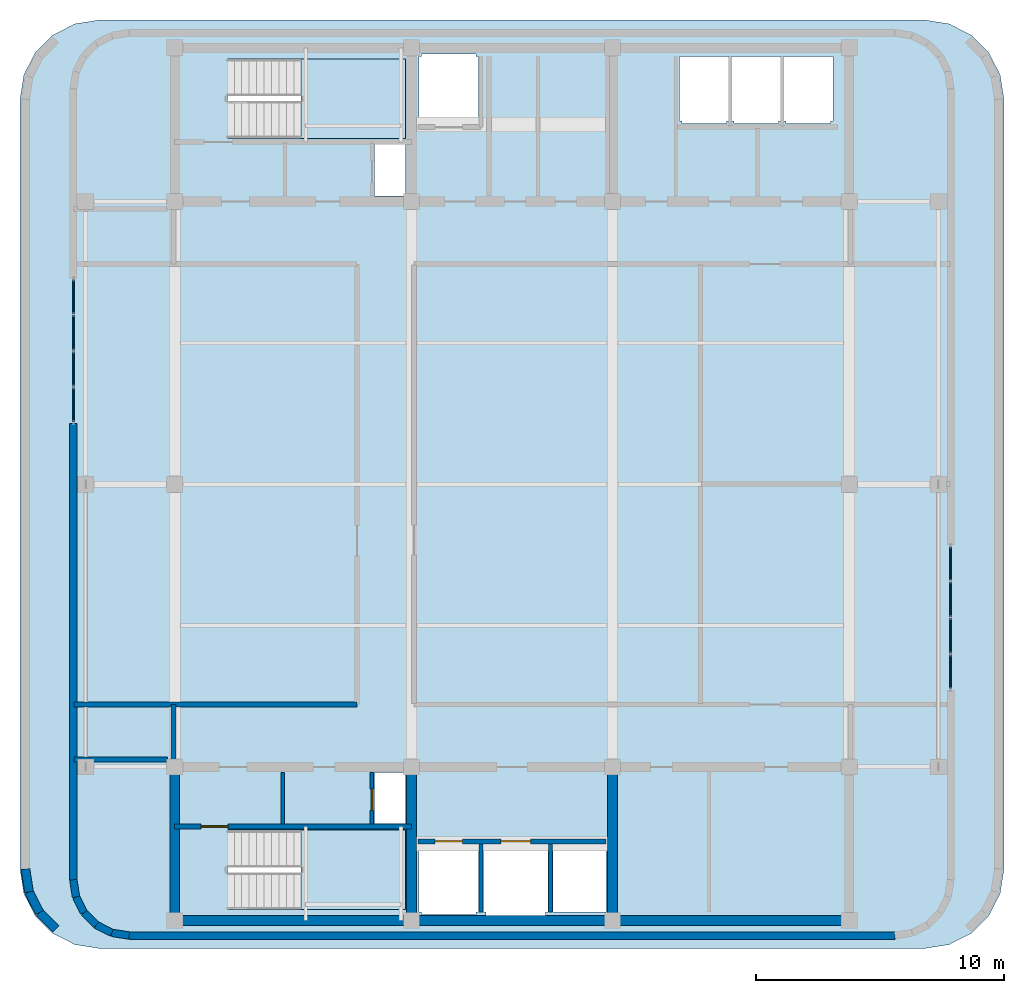
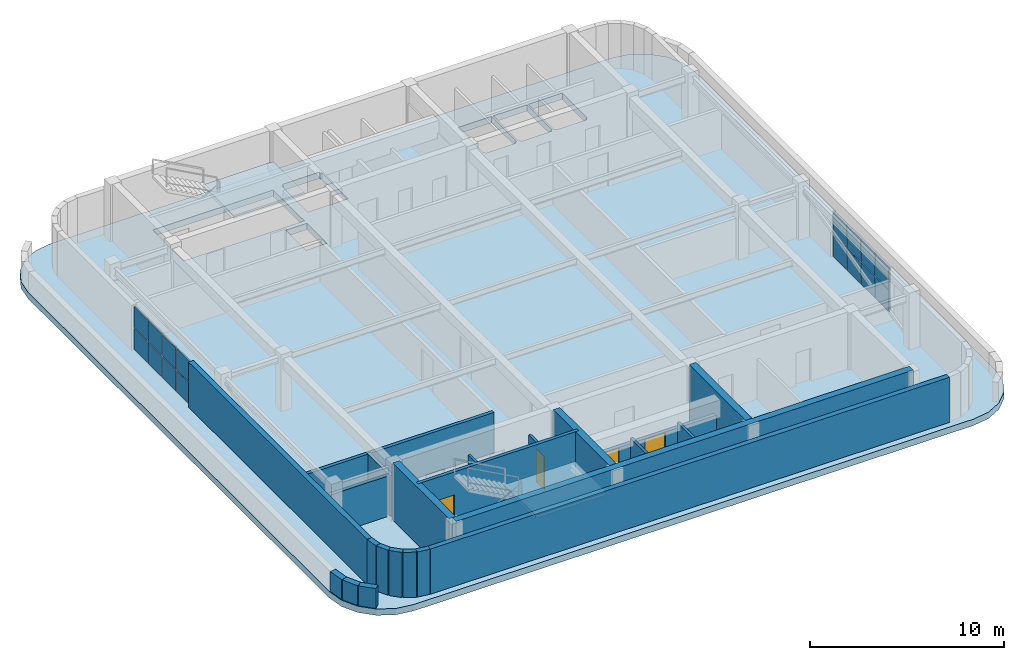
# One storey, part 4 of 9: 23 walls, 16 plates, 4 doors, 3 slabs, 4 openings, 4 elements without a shape of their own.
"""IFC4 building model written with IfcOpenShell, lengths in metres."""

from ifc_helpers import new_model, si_unit, direction, frame, frame_2d, origin, origin_2d, place, context, subcontext, project, spatial, polyline, rectangle, outline, extrude, material, layer, layer_set, type_object, element, fill, aggregate, save


model = new_model("IFC4")

# Units and contexts
model_context = context("Model", 3, precision=1e-05, world=origin(), true_north=direction((0.0, 1.0)))
body_context = subcontext(model_context, "Body", "Model", "MODEL_VIEW")
ifc_project = project(units=[si_unit("LENGTHUNIT", "METRE"), si_unit("AREAUNIT", "SQUARE_METRE"), si_unit("VOLUMEUNIT", "CUBIC_METRE"), si_unit("PLANEANGLEUNIT", "RADIAN"), si_unit("MASSUNIT", "GRAM", prefix="KILO")], contexts=[model_context])

# Site, building, storey
site_placement = place(None, origin())
site = spatial("IfcSite", under=ifc_project, at=site_placement, CompositionType="ELEMENT")
building_placement = place(site_placement, origin())
building = spatial("IfcBuilding", under=site, at=building_placement, Name="Svetorya Sky Lyceum", CompositionType="ELEMENT")
storey_placement = place(building_placement, frame((0.0, 0.0, 302.0)))
storey = spatial("IfcBuildingStorey", under=building, at=storey_placement, Name="C01", CompositionType="ELEMENT", Elevation=302.0)

# Curtain wall, plates
ifc_material_1 = material(Name="Thermally broken anodized aluminium and triple low-E glass", Category="aluminium")
curtain_wall_type = type_object("IfcCurtainWallType", Name="CW5-LVR-PLT", PredefinedType="NOTDEFINED", material=ifc_material_1)
curtain_wall_1_placement = place(storey_placement, origin())
curtain_wall_1 = element("IfcCurtainWall", 1, at=curtain_wall_1_placement, inside=storey, type_object=curtain_wall_type, Name="C01 Acoustic Plant Louvre Curtain Wall 12", PredefinedType="NOTDEFINED")
ifc_material_2 = material(Name="Powder-coated extruded aluminium acoustic louvre blade", Category="aluminium")
ifc_layer_1 = layer(ifc_material_2, 0.06494140625)
ifc_layer_set_1 = layer_set([ifc_layer_1], Name="Powder-coated extruded aluminium acoustic louvre blade")
plate_type = type_object("IfcPlateType", Name="CWP-LVR-65", PredefinedType="SHEET", material=ifc_layer_set_1)
plate_1_placement = place(storey_placement, frame((56.889892578125, 20.6474609375, 0.0634765625), z_axis=(0.0, 0.0, 1.0), x_axis=(0.0, 1.0, 0.0)))
plate_1 = element("IfcPlate", 2, at=plate_1_placement, type_object=plate_type, Name="CW-5 panel 1.1", PredefinedType="SHEET", context=body_context, shape_type="SweptSolid", body=[
    extrude(rectangle(XDim=1.367919921875, YDim=0.06494140625, at=origin_2d()), origin(), (0.0, 0.0, 1.0), 1.325439453125),
])
plate_2_placement = place(storey_placement, frame((56.889892578125, 20.6474609375, 1.451171875), z_axis=(0.0, 0.0, 1.0), x_axis=(0.0, 1.0, 0.0)))
plate_2 = element("IfcPlate", 3, at=plate_2_placement, type_object=plate_type, Name="CW-5 panel 1.2", PredefinedType="SHEET", context=body_context, shape_type="SweptSolid", body=[
    extrude(rectangle(XDim=1.367919921875, YDim=0.06494140625, at=origin_2d()), origin(), (0.0, 0.0, 1.0), 1.325439453125),
])
plate_3_placement = place(storey_placement, frame((56.889892578125, 22.09375, 0.0634765625), z_axis=(0.0, 0.0, 1.0), x_axis=(0.0, 1.0, 0.0)))
plate_3 = element("IfcPlate", 4, at=plate_3_placement, type_object=plate_type, Name="CW-5 panel 2.1", PredefinedType="SHEET", context=body_context, shape_type="SweptSolid", body=[
    extrude(rectangle(XDim=1.400390625, YDim=0.06494140625, at=origin_2d()), origin(), (0.0, 0.0, 1.0), 1.325439453125),
])
plate_4_placement = place(storey_placement, frame((56.889892578125, 22.09375, 1.451171875), z_axis=(0.0, 0.0, 1.0), x_axis=(0.0, 1.0, 0.0)))
plate_4 = element("IfcPlate", 5, at=plate_4_placement, type_object=plate_type, Name="CW-5 panel 2.2", PredefinedType="SHEET", context=body_context, shape_type="SweptSolid", body=[
    extrude(rectangle(XDim=1.400390625, YDim=0.06494140625, at=origin_2d()), origin(), (0.0, 0.0, 1.0), 1.325439453125),
])
plate_5_placement = place(storey_placement, frame((56.889892578125, 23.55615234375, 0.0634765625), z_axis=(0.0, 0.0, 1.0), x_axis=(0.0, 1.0, 0.0)))
plate_5 = element("IfcPlate", 6, at=plate_5_placement, type_object=plate_type, Name="CW-5 panel 3.1", PredefinedType="SHEET", context=body_context, shape_type="SweptSolid", body=[
    extrude(rectangle(XDim=1.400390625, YDim=0.06494140625, at=origin_2d()), origin(), (0.0, 0.0, 1.0), 1.325439453125),
])
plate_6_placement = place(storey_placement, frame((56.889892578125, 23.55615234375, 1.451171875), z_axis=(0.0, 0.0, 1.0), x_axis=(0.0, 1.0, 0.0)))
plate_6 = element("IfcPlate", 7, at=plate_6_placement, type_object=plate_type, Name="CW-5 panel 3.2", PredefinedType="SHEET", context=body_context, shape_type="SweptSolid", body=[
    extrude(rectangle(XDim=1.400390625, YDim=0.06494140625, at=origin_2d()), origin(), (0.0, 0.0, 1.0), 1.325439453125),
])
plate_7_placement = place(storey_placement, frame((56.889892578125, 25.00244140625, 0.0634765625), z_axis=(0.0, 0.0, 1.0), x_axis=(0.0, 1.0, 0.0)))
plate_7 = element("IfcPlate", 8, at=plate_7_placement, type_object=plate_type, Name="CW-5 panel 4.1", PredefinedType="SHEET", context=body_context, shape_type="SweptSolid", body=[
    extrude(rectangle(XDim=1.367919921875, YDim=0.06494140625, at=origin_2d()), origin(), (0.0, 0.0, 1.0), 1.325439453125),
])
plate_8_placement = place(storey_placement, frame((56.889892578125, 25.00244140625, 1.451171875), z_axis=(0.0, 0.0, 1.0), x_axis=(0.0, 1.0, 0.0)))
plate_8 = element("IfcPlate", 9, at=plate_8_placement, type_object=plate_type, Name="CW-5 panel 4.2", PredefinedType="SHEET", context=body_context, shape_type="SweptSolid", body=[
    extrude(rectangle(XDim=1.367919921875, YDim=0.06494140625, at=origin_2d()), origin(), (0.0, 0.0, 1.0), 1.325439453125),
])
aggregate(curtain_wall_1, [plate_1, plate_2, plate_3, plate_4, plate_5, plate_6, plate_7, plate_8])

curtain_wall_2_placement = place(storey_placement, origin())
curtain_wall_2 = element("IfcCurtainWall", 10, at=curtain_wall_2_placement, inside=storey, type_object=curtain_wall_type, Name="C01 Acoustic Plant Louvre Curtain Wall 24", PredefinedType="NOTDEFINED")
plate_9_placement = place(storey_placement, frame((21.510009765625, 35.75244140625, 0.0634765625), z_axis=(0.0, 0.0, 1.0), x_axis=(0.0, -1.0, 0.0)))
plate_9 = element("IfcPlate", 11, at=plate_9_placement, type_object=plate_type, Name="CW-5 panel 1.1", PredefinedType="SHEET", context=body_context, shape_type="SweptSolid", body=[
    extrude(rectangle(XDim=1.367919921875, YDim=0.06494140625, at=origin_2d()), origin(), (0.0, 0.0, 1.0), 1.325439453125),
])
plate_10_placement = place(storey_placement, frame((21.510009765625, 35.75244140625, 1.451171875), z_axis=(0.0, 0.0, 1.0), x_axis=(0.0, -1.0, 0.0)))
plate_10 = element("IfcPlate", 12, at=plate_10_placement, type_object=plate_type, Name="CW-5 panel 1.2", PredefinedType="SHEET", context=body_context, shape_type="SweptSolid", body=[
    extrude(rectangle(XDim=1.367919921875, YDim=0.06494140625, at=origin_2d()), origin(), (0.0, 0.0, 1.0), 1.325439453125),
])
plate_11_placement = place(storey_placement, frame((21.510009765625, 34.30615234375, 0.0634765625), z_axis=(0.0, 0.0, 1.0), x_axis=(0.0, -1.0, 0.0)))
plate_11 = element("IfcPlate", 13, at=plate_11_placement, type_object=plate_type, Name="CW-5 panel 2.1", PredefinedType="SHEET", context=body_context, shape_type="SweptSolid", body=[
    extrude(rectangle(XDim=1.400390625, YDim=0.06494140625, at=origin_2d()), origin(), (0.0, 0.0, 1.0), 1.325439453125),
])
plate_12_placement = place(storey_placement, frame((21.510009765625, 34.30615234375, 1.451171875), z_axis=(0.0, 0.0, 1.0), x_axis=(0.0, -1.0, 0.0)))
plate_12 = element("IfcPlate", 14, at=plate_12_placement, type_object=plate_type, Name="CW-5 panel 2.2", PredefinedType="SHEET", context=body_context, shape_type="SweptSolid", body=[
    extrude(rectangle(XDim=1.400390625, YDim=0.06494140625, at=origin_2d()), origin(), (0.0, 0.0, 1.0), 1.325439453125),
])
plate_13_placement = place(storey_placement, frame((21.510009765625, 32.84375, 0.0634765625), z_axis=(0.0, 0.0, 1.0), x_axis=(0.0, -1.0, 0.0)))
plate_13 = element("IfcPlate", 15, at=plate_13_placement, type_object=plate_type, Name="CW-5 panel 3.1", PredefinedType="SHEET", context=body_context, shape_type="SweptSolid", body=[
    extrude(rectangle(XDim=1.400390625, YDim=0.06494140625, at=origin_2d()), origin(), (0.0, 0.0, 1.0), 1.325439453125),
])
plate_14_placement = place(storey_placement, frame((21.510009765625, 32.84375, 1.451171875), z_axis=(0.0, 0.0, 1.0), x_axis=(0.0, -1.0, 0.0)))
plate_14 = element("IfcPlate", 16, at=plate_14_placement, type_object=plate_type, Name="CW-5 panel 3.2", PredefinedType="SHEET", context=body_context, shape_type="SweptSolid", body=[
    extrude(rectangle(XDim=1.400390625, YDim=0.06494140625, at=origin_2d()), origin(), (0.0, 0.0, 1.0), 1.325439453125),
])
plate_15_placement = place(storey_placement, frame((21.510009765625, 31.3974609375, 0.0634765625), z_axis=(0.0, 0.0, 1.0), x_axis=(0.0, -1.0, 0.0)))
plate_15 = element("IfcPlate", 17, at=plate_15_placement, type_object=plate_type, Name="CW-5 panel 4.1", PredefinedType="SHEET", context=body_context, shape_type="SweptSolid", body=[
    extrude(rectangle(XDim=1.367919921875, YDim=0.06494140625, at=origin_2d()), origin(), (0.0, 0.0, 1.0), 1.325439453125),
])
plate_16_placement = place(storey_placement, frame((21.510009765625, 31.3974609375, 1.451171875), z_axis=(0.0, 0.0, 1.0), x_axis=(0.0, -1.0, 0.0)))
plate_16 = element("IfcPlate", 18, at=plate_16_placement, type_object=plate_type, Name="CW-5 panel 4.2", PredefinedType="SHEET", context=body_context, shape_type="SweptSolid", body=[
    extrude(rectangle(XDim=1.367919921875, YDim=0.06494140625, at=origin_2d()), origin(), (0.0, 0.0, 1.0), 1.325439453125),
])
aggregate(curtain_wall_2, [plate_9, plate_10, plate_11, plate_12, plate_13, plate_14, plate_15, plate_16])

# Stair, slab
ifc_material_3 = material(Name="Concrete C40/50", Category="concrete")
stair_type_1 = type_object("IfcStairType", Name="STR-ST-S", PredefinedType="HALF_TURN_STAIR", material=ifc_material_3)
stair_1_placement = place(storey_placement, origin())
stair_1 = element("IfcStair", 19, at=stair_1_placement, inside=storey, type_object=stair_type_1, Name="C01 South Core Smoke-Free Exit Stair N2", PredefinedType="HALF_TURN_STAIR")
ifc_layer_2 = layer(ifc_material_3, 0.199951171875)
ifc_layer_set_2 = layer_set([ifc_layer_2], Name="Concrete C40/50")
slab_type_1 = type_object("IfcSlabType", Name="SL-STR-LAND-200", PredefinedType="LANDING", material=ifc_layer_set_2)
slab_1_placement = place(storey_placement, frame((0.0, 0.0, 1.60009765625)))
slab_1 = element("IfcSlab", 20, at=slab_1_placement, type_object=slab_type_1, Name="ST-S landing 1", PredefinedType="LANDING", context=body_context, shape_type="SweptSolid", body=[
    extrude(outline(polyline([(30.699951171875, 11.050048828125), (34.89990234375, 11.050048828125), (34.89990234375, 14.25), (30.699951171875, 14.25), (30.699951171875, 11.050048828125)])), origin(), (0.0, 0.0, 1.0), 0.199951171875),
])
aggregate(stair_1, [slab_1])

stair_type_2 = type_object("IfcStairType", Name="STR-ST-N", PredefinedType="HALF_TURN_STAIR", material=ifc_material_3)
stair_2_placement = place(storey_placement, origin())
stair_2 = element("IfcStair", 21, at=stair_2_placement, inside=storey, type_object=stair_type_2, Name="C01 North Core Smoke-Free Exit Stair N3", PredefinedType="HALF_TURN_STAIR")
slab_2_placement = place(storey_placement, frame((0.0, 0.0, 1.60009765625)))
slab_2 = element("IfcSlab", 22, at=slab_2_placement, type_object=slab_type_1, Name="ST-N landing 1", PredefinedType="LANDING", context=body_context, shape_type="SweptSolid", body=[
    extrude(outline(polyline([(30.699951171875, 42.14990234375), (34.89990234375, 42.14990234375), (34.89990234375, 45.35009765625), (30.699951171875, 45.35009765625), (30.699951171875, 42.14990234375)])), origin(), (0.0, 0.0, 1.0), 0.199951171875),
])
aggregate(stair_2, [slab_2])

# Slab
ifc_material_4 = material(Name="Concrete C60/75", Category="concrete")
ifc_layer_3 = layer(ifc_material_4, 0.39990234375)
ifc_layer_set_3 = layer_set([ifc_layer_3], Name="Concrete C60/75")
slab_type_2 = type_object("IfcSlabType", Name="SL-TRF-400", PredefinedType="FLOOR", material=ifc_layer_set_3)
slab_3_placement = place(storey_placement, frame((0.0, 0.0, -0.39990234375)))
element("IfcSlab", 23, at=slab_3_placement, inside=storey, type_object=slab_type_2, Name="C01 Structural Floor Slab", PredefinedType="FLOOR", context=body_context, shape_type="SweptSolid", body=[
    extrude(outline(polyline([(19.360107421875, 12.679931640625), (19.5166015625, 11.691162109375), (19.97119140625, 10.799072265625), (20.67919921875, 10.091064453125), (21.571044921875, 9.63671875), (22.56005859375, 9.47998046875), (55.840087890625, 9.47998046875), (56.828857421875, 9.63671875), (57.720947265625, 10.091064453125), (58.428955078125, 10.799072265625), (58.88330078125, 11.691162109375), (59.0400390625, 12.679931640625), (59.0400390625, 43.719970703125), (58.88330078125, 44.708984375), (58.428955078125, 45.600830078125), (57.720947265625, 46.308837890625), (56.828857421875, 46.763427734375), (55.840087890625, 46.919921875), (22.56005859375, 46.919921875), (21.571044921875, 46.763427734375), (20.67919921875, 46.308837890625), (19.97119140625, 45.600830078125), (19.5166015625, 44.708984375), (19.360107421875, 43.719970703125), (19.360107421875, 12.679931640625)]), holes=[polyline([(37.85009765625, 10.949951171875), (37.75, 10.949951171875), (37.75, 10.85009765625), (35.550048828125, 10.85009765625), (35.550048828125, 10.949951171875), (35.449951171875, 10.949951171875), (35.449951171875, 13.64990234375), (35.550048828125, 13.64990234375), (37.75, 13.64990234375), (37.85009765625, 13.64990234375), (37.85009765625, 10.949951171875)]), polyline([(38.14990234375, 10.800048828125), (38.14990234375, 10.949951171875), (38.050048828125, 10.949951171875), (38.050048828125, 13.64990234375), (38.14990234375, 13.64990234375), (38.14990234375, 13.699951171875), (40.550048828125, 13.699951171875), (40.550048828125, 13.64990234375), (40.64990234375, 13.64990234375), (40.64990234375, 10.949951171875), (40.550048828125, 10.949951171875), (40.550048828125, 10.800048828125), (38.14990234375, 10.800048828125)]), polyline([(27.719970703125, 11.050048828125), (27.719970703125, 14.25), (34.89990234375, 14.25), (34.89990234375, 11.050048828125), (27.719970703125, 11.050048828125)]), polyline([(33.64990234375, 14.52001953125), (33.64990234375, 16.580078125), (34.89990234375, 16.580078125), (34.89990234375, 14.52001953125), (33.64990234375, 14.52001953125)]), polyline([(33.64990234375, 39.820068359375), (33.64990234375, 41.89990234375), (34.89990234375, 41.89990234375), (34.89990234375, 39.820068359375), (33.64990234375, 39.820068359375)]), polyline([(27.719970703125, 42.14990234375), (27.719970703125, 45.35009765625), (34.89990234375, 45.35009765625), (34.89990234375, 42.14990234375), (27.719970703125, 42.14990234375)]), polyline([(37.75, 42.75), (35.550048828125, 42.75), (35.449951171875, 42.75), (35.449951171875, 45.449951171875), (35.550048828125, 45.449951171875), (35.550048828125, 45.550048828125), (37.75, 45.550048828125), (37.75, 45.449951171875), (37.85009765625, 45.449951171875), (37.85009765625, 42.75), (37.75, 42.75)]), polyline([(40.85009765625, 10.949951171875), (40.85009765625, 13.64990234375), (43.0, 13.64990234375), (43.0, 10.949951171875), (40.85009765625, 10.949951171875)]), polyline([(46.050048828125, 42.75), (46.050048828125, 42.85009765625), (45.949951171875, 42.85009765625), (45.949951171875, 45.449951171875), (46.050048828125, 45.449951171875), (47.85009765625, 45.449951171875), (47.949951171875, 45.449951171875), (47.949951171875, 42.85009765625), (47.85009765625, 42.85009765625), (47.85009765625, 42.75), (46.050048828125, 42.75)]), polyline([(50.050048828125, 42.85009765625), (49.949951171875, 42.85009765625), (49.949951171875, 42.75), (48.14990234375, 42.75), (48.14990234375, 42.85009765625), (48.050048828125, 42.85009765625), (48.050048828125, 45.449951171875), (48.14990234375, 45.449951171875), (49.949951171875, 45.449951171875), (50.050048828125, 45.449951171875), (50.050048828125, 42.85009765625)]), polyline([(52.14990234375, 42.85009765625), (52.050048828125, 42.85009765625), (52.050048828125, 42.75), (50.25, 42.75), (50.25, 42.85009765625), (50.14990234375, 42.85009765625), (50.14990234375, 45.449951171875), (50.25, 45.449951171875), (52.050048828125, 45.449951171875), (52.14990234375, 45.449951171875), (52.14990234375, 42.85009765625)])]), origin(), (0.0, 0.0, 1.0), 0.39990234375),
])

# Walls
ifc_layer_4 = layer(ifc_material_3, 0.39990234375)
ifc_layer_set_4 = layer_set([ifc_layer_4], Name="Concrete C40/50")
wall_type_1 = type_object("IfcWallType", Name="WL-CORE-400", PredefinedType="SHEAR", material=ifc_layer_set_4)
wall_1_placement = place(storey_placement, frame((52.800048828125, 10.60009765625, 0.0), z_axis=(0.0, 0.0, 1.0), x_axis=(-1.0, 0.0, 0.0)))
element("IfcWall", 24, at=wall_1_placement, inside=storey, type_object=wall_type_1, Name="C01 SC Outer Core Shear Wall", PredefinedType="SHEAR", context=body_context, shape_type="SweptSolid", body=[
    extrude(rectangle(XDim=27.199951171875, YDim=0.39990234375, at=frame_2d((13.60009765625, 0.0))), origin(), (0.0, 0.0, 1.0), 3.60009765625),
])
for number, where, z_axis, x_axis, name in (
    (25, (25.60009765625, 10.800048828125, 0.0), (0.0, 0.0, 1.0), (0.0, 1.0, 0.0), "C01 SC West Core Shear Wall"),
    (26, (35.14990234375, 10.800048828125, 0.0), (0.0, 0.0, 1.0), (0.0, 1.0, 0.0), "C01 SC Internal Shear Web WEB1"),
    (27, (43.25, 10.800048828125, 0.0), (0.0, 0.0, 1.0), (0.0, 1.0, 0.0), "C01 SC Internal Shear Web WEB2"),
):
    element("IfcWall", number, at=place(storey_placement, frame(where, z_axis=z_axis, x_axis=x_axis)), inside=storey, type_object=wall_type_1, Name=name, PredefinedType="SHEAR", context=body_context, shape_type="SweptSolid", body=[
        extrude(rectangle(XDim=5.800048828125, YDim=0.39990234375, at=frame_2d((2.89990234375, 0.0))), origin(), (0.0, 0.0, 1.0), 3.60009765625),
    ])
ifc_material_5 = material(Name="Putilovo limestone rainscreen on autoclaved cellular masonry", Category="masonry")
ifc_layer_5 = layer(ifc_material_5, 0.300048828125)
ifc_layer_set_5 = layer_set([ifc_layer_5], Name="Putilovo limestone rainscreen on autoclaved cellular masonry")
wall_type_2 = type_object("IfcWallType", Name="WL-EXT-300", PredefinedType="SOLIDWALL", material=ifc_layer_set_5)
for number, where, z_axis, x_axis, name in (
    (28, (21.510009765625, 12.25, 0.0), (0.0, 0.0, 1.0), (0.156407776626, -0.987692567255, 0.0), "C01 Limestone Exterior Wall 1M"),
    (29, (21.6201171875, 11.5546875, 0.0), (0.0, 0.0, 1.0), (0.453998517824, -0.891002438725, 0.0), "C01 Limestone Exterior Wall 2M"),
):
    element("IfcWall", number, at=place(storey_placement, frame(where, z_axis=z_axis, x_axis=x_axis)), inside=storey, type_object=wall_type_2, Name=name, PredefinedType="SOLIDWALL", context=body_context, shape_type="SweptSolid", body=[
        extrude(rectangle(XDim=0.703857421875, YDim=0.300048828125, at=frame_2d((0.35205078125, 0.0))), origin(), (0.0, 0.0, 1.0), 2.840087890625),
    ])
wall_2_placement = place(storey_placement, frame((21.939697265625, 10.927490234375, 0.0), z_axis=(0.0, 0.0, 1.0), x_axis=(0.707106781187, -0.707106781187, 0.0)))
element("IfcWall", 30, at=wall_2_placement, inside=storey, type_object=wall_type_2, Name="C01 Limestone Exterior Wall 3M", PredefinedType="SOLIDWALL", context=body_context, shape_type="SweptSolid", body=[
    extrude(rectangle(XDim=0.7041015625, YDim=0.300048828125, at=frame_2d((0.35205078125, 0.0))), origin(), (0.0, 0.0, 1.0), 2.840087890625),
])
for number, where, z_axis, x_axis, name in (
    (31, (22.4375, 10.4296875, 0.0), (0.0, 0.0, 1.0), (0.891002438725, -0.453998517824, 0.0), "C01 Limestone Exterior Wall 4M"),
    (32, (23.064697265625, 10.110107421875, 0.0), (0.0, 0.0, 1.0), (0.987692567255, -0.156407776626, 0.0), "C01 Limestone Exterior Wall 5M"),
):
    element("IfcWall", number, at=place(storey_placement, frame(where, z_axis=z_axis, x_axis=x_axis)), inside=storey, type_object=wall_type_2, Name=name, PredefinedType="SOLIDWALL", context=body_context, shape_type="SweptSolid", body=[
        extrude(rectangle(XDim=0.703857421875, YDim=0.300048828125, at=frame_2d((0.35205078125, 0.0))), origin(), (0.0, 0.0, 1.0), 2.840087890625),
    ])
wall_3_placement = place(storey_placement, frame((23.760009765625, 10.0, 0.0), z_axis=(0.0, 0.0, 1.0), x_axis=(1.0, 0.0, 0.0)))
element("IfcWall", 33, at=wall_3_placement, inside=storey, type_object=wall_type_2, Name="C01 Limestone Exterior Wall 6M", PredefinedType="SOLIDWALL", context=body_context, shape_type="SweptSolid", body=[
    extrude(rectangle(XDim=30.8798828125, YDim=0.300048828125, at=frame_2d((15.43994140625, 0.0))), origin(), (0.0, 0.0, 1.0), 2.840087890625),
])
wall_4_placement = place(storey_placement, frame((21.510009765625, 30.64990234375, 0.0), z_axis=(0.0, 0.0, 1.0), x_axis=(0.0, -1.0, 0.0)))
element("IfcWall", 34, at=wall_4_placement, inside=storey, type_object=wall_type_2, Name="C01 Limestone Exterior Wall 24B", PredefinedType="SOLIDWALL", context=body_context, shape_type="SweptSolid", body=[
    extrude(rectangle(XDim=18.39990234375, YDim=0.300048828125, at=frame_2d((9.199951171875, 0.0))), origin(), (0.0, 0.0, 1.0), 2.840087890625),
])
ifc_layer_6 = layer(ifc_material_3, 0.35009765625)
ifc_layer_set_6 = layer_set([ifc_layer_6], Name="Concrete C40/50")
wall_type_3 = type_object("IfcWallType", Name="WL-KERB-350", PredefinedType="PARAPET", material=ifc_layer_set_6)
wall_5_placement = place(storey_placement, frame((19.580078125, 12.679931640625, 0.0), z_axis=(0.0, 0.0, 1.0), x_axis=(0.156325617135, -0.987705574262, 0.0)))
element("IfcWall", 35, at=wall_5_placement, inside=storey, type_object=wall_type_3, Name="C01 Setback Parapet Wall 1", PredefinedType="PARAPET", context=body_context, shape_type="SweptSolid", body=[
    extrude(rectangle(XDim=0.932373046875, YDim=0.35009765625, at=frame_2d((0.46630859375, 0.0))), origin(), (0.0, 0.0, 1.0), 1.25),
])
wall_6_placement = place(storey_placement, frame((19.725830078125, 11.759033203125, 0.0), z_axis=(0.0, 0.0, 1.0), x_axis=(0.45411408205, -0.89094354506, 0.0)))
element("IfcWall", 36, at=wall_6_placement, inside=storey, type_object=wall_type_3, Name="C01 Setback Parapet Wall 2", PredefinedType="PARAPET", context=body_context, shape_type="SweptSolid", body=[
    extrude(rectangle(XDim=0.93212890625, YDim=0.35009765625, at=frame_2d((0.466064453125, 0.0))), origin(), (0.0, 0.0, 1.0), 1.25),
])
wall_7_placement = place(storey_placement, frame((20.149169921875, 10.928466796875, 0.0), z_axis=(0.0, 0.0, 1.0), x_axis=(0.706975847613, -0.70723769052, 0.0)))
element("IfcWall", 37, at=wall_7_placement, inside=storey, type_object=wall_type_3, Name="C01 Setback Parapet Wall 3", PredefinedType="PARAPET", context=body_context, shape_type="SweptSolid", body=[
    extrude(rectangle(XDim=0.932373046875, YDim=0.35009765625, at=frame_2d((0.46630859375, 0.0))), origin(), (0.0, 0.0, 1.0), 1.25),
])
ifc_material_6 = material(Name="Autoclaved cellular masonry blockwork with acoustic render", Category="masonry")
ifc_layer_7 = layer(ifc_material_6, 0.14990234375)
ifc_layer_set_7 = layer_set([ifc_layer_7], Name="Autoclaved cellular masonry blockwork with acoustic render")
wall_type_4 = type_object("IfcWallType", Name="WL-PART-150", PredefinedType="PARTITIONING", material=ifc_layer_set_7)
wall_8_placement = place(storey_placement, frame((29.949951171875, 14.5, 0.0), z_axis=(0.0, 0.0, 1.0), x_axis=(0.0, 1.0, 0.0)))
element("IfcWall", 38, at=wall_8_placement, inside=storey, type_object=wall_type_4, Name="C01 Interior Partition SC-SWD1", PredefinedType="PARTITIONING", context=body_context, shape_type="SweptSolid", body=[
    extrude(rectangle(XDim=2.080078125, YDim=0.14990234375, at=frame_2d((1.0400390625, 0.0))), origin(), (0.0, 0.0, 1.0), 2.5400390625),
])

# Wall, opening, door
wall_9_placement = place(storey_placement, frame((33.550048828125, 14.5, 0.0), z_axis=(0.0, 0.0, 1.0), x_axis=(0.0, 1.0, 0.0)))
wall_9 = element("IfcWall", 39, at=wall_9_placement, inside=storey, type_object=wall_type_4, Name="C01 Interior Partition SC-SWD2", PredefinedType="PARTITIONING", context=body_context, shape_type="SweptSolid", body=[
    extrude(rectangle(XDim=2.080078125, YDim=0.14990234375, at=frame_2d((1.0400390625, 0.0))), origin(), (0.0, 0.0, 1.0), 2.5400390625),
])
opening_1_placement = place(wall_9_placement, frame((0.550048828125, 0.0, 0.0)))
opening_1 = element("IfcOpeningElement", 40, at=opening_1_placement, cuts=wall_9, Name="Opening D-SH1", PredefinedType="OPENING", context=body_context, shape_type="SweptSolid", body=[
    extrude(rectangle(XDim=0.85009765625, YDim=2.050048828125, at=frame_2d((0.425048828125, 1.02490234375))), frame((0.0, 0.0849609375, 0.0), z_axis=(0.0, -1.0, 0.0), x_axis=(1.0, 0.0, 0.0)), (0.0, 0.0, 1.0), 0.169921875),
])
ifc_material_7 = material(Name="Insulated galvanized riser inspection fire door")
door_type_1 = type_object("IfcDoorType", Name="DR-SHFT-850", OperationType="SINGLE_SWING_LEFT", PredefinedType="TRAPDOOR", material=ifc_material_7)
door_1_placement = place(opening_1_placement, origin())
door_1 = element("IfcDoor", 41, at=door_1_placement, inside=storey, type_object=door_type_1, Name="C01 South Riser Access Door", OperationType="SINGLE_SWING_RIGHT", OverallHeight=2.050048828125, OverallWidth=0.85009765625, PredefinedType="TRAPDOOR", context=body_context, shape_type="SweptSolid", body=[
    extrude(rectangle(XDim=0.85009765625, YDim=2.050048828125, at=frame_2d((0.425048828125, 1.02490234375))), frame((0.0, 0.02490234375, 0.0), z_axis=(0.0, -1.0, 0.0), x_axis=(1.0, 0.0, 0.0)), (0.0, 0.0, 1.0), 0.050048828125),
])
fill(opening_1, door_1)

# Walls
for number, where, z_axis, x_axis, name in (
    (42, (37.949951171875, 10.949951171875, 0.0), (0.0, 0.0, 1.0), (0.0, 1.0, 0.0), "C01 Interior Partition SC-SHD1"),
    (43, (40.75, 10.949951171875, 0.0), (0.0, 0.0, 1.0), (0.0, 1.0, 0.0), "C01 Interior Partition SC-SHD2"),
):
    element("IfcWall", number, at=place(storey_placement, frame(where, z_axis=z_axis, x_axis=x_axis)), inside=storey, type_object=wall_type_4, Name=name, PredefinedType="PARTITIONING", context=body_context, shape_type="SweptSolid", body=[
        extrude(rectangle(XDim=2.75, YDim=0.14990234375, at=frame_2d((1.375, 0.0))), origin(), (0.0, 0.0, 1.0), 2.5400390625),
    ])

# Wall, openings, doors
ifc_material_8 = material(Name="Autoclaved cellular masonry blockwork with gypsum plaster", Category="masonry")
ifc_layer_8 = layer(ifc_material_8, 0.199951171875)
ifc_layer_set_8 = layer_set([ifc_layer_8], Name="Autoclaved cellular masonry blockwork with gypsum plaster")
wall_type_5 = type_object("IfcWallType", Name="WL-PART-200", PredefinedType="PARTITIONING", material=ifc_layer_set_8)
wall_10_placement = place(storey_placement, frame((35.39990234375, 13.800048828125, 0.0), z_axis=(0.0, 0.0, 1.0), x_axis=(1.0, 0.0, 0.0)))
wall_10 = element("IfcWall", 44, at=wall_10_placement, inside=storey, type_object=wall_type_5, Name="C01 Interior Partition SC-FLW", PredefinedType="PARTITIONING", context=body_context, shape_type="SweptSolid", body=[
    extrude(rectangle(XDim=7.60009765625, YDim=0.199951171875, at=frame_2d((3.800048828125, 0.0))), origin(), (0.0, 0.0, 1.0), 2.199951171875),
])
opening_2_placement = place(wall_10_placement, frame((0.699951171875, 0.0, 0.0)))
opening_2 = element("IfcOpeningElement", 45, at=opening_2_placement, cuts=wall_10, Name="Opening LD-FL", PredefinedType="OPENING", context=body_context, shape_type="SweptSolid", body=[
    extrude(rectangle(XDim=1.10009765625, YDim=2.14990234375, at=frame_2d((0.550048828125, 1.074951171875))), frame((0.0, 0.10986328125, 0.0), z_axis=(0.0, -1.0, 0.0), x_axis=(1.0, 0.0, 0.0)), (0.0, 0.0, 1.0), 0.219970703125),
])
opening_3_placement = place(wall_10_placement, frame((3.35009765625, 0.0, 0.0)))
opening_3 = element("IfcOpeningElement", 46, at=opening_3_placement, cuts=wall_10, Name="Opening LD-SV", PredefinedType="OPENING", context=body_context, shape_type="SweptSolid", body=[
    extrude(rectangle(XDim=1.199951171875, YDim=2.14990234375, at=frame_2d((0.60009765625, 1.074951171875))), frame((0.0, 0.10986328125, 0.0), z_axis=(0.0, -1.0, 0.0), x_axis=(1.0, 0.0, 0.0)), (0.0, 0.0, 1.0), 0.219970703125),
])
ifc_material_9 = material(Name="Fire-rated stainless AISI 304 firefighting lift landing door")
door_type_2 = type_object("IfcDoorType", Name="DR-LIFT-1100", OperationType="SLIDING_TO_LEFT", PredefinedType="DOOR", material=ifc_material_9)
door_2_placement = place(opening_2_placement, origin())
door_2 = element("IfcDoor", 47, at=door_2_placement, inside=storey, type_object=door_type_2, Name="C01 Firefighting Lift FL2 Landing Door", OperationType="SLIDING_TO_LEFT", OverallHeight=2.14990234375, OverallWidth=1.10009765625, PredefinedType="DOOR", context=body_context, shape_type="SweptSolid", body=[
    extrude(rectangle(XDim=1.10009765625, YDim=2.14990234375, at=frame_2d((0.550048828125, 1.074951171875))), frame((0.0, 0.02490234375, 0.0), z_axis=(0.0, -1.0, 0.0), x_axis=(1.0, 0.0, 0.0)), (0.0, 0.0, 1.0), 0.050048828125),
])
fill(opening_2, door_2)
ifc_material_10 = material(Name="Brushed stainless AISI 304 telescopic lift landing door")
door_type_3 = type_object("IfcDoorType", Name="DR-LIFT-1200", OperationType="SLIDING_TO_LEFT", PredefinedType="DOOR", material=ifc_material_10)
door_3_placement = place(opening_3_placement, origin())
door_3 = element("IfcDoor", 48, at=door_3_placement, inside=storey, type_object=door_type_3, Name="C01 Service Lift SVL1 Landing Door", OperationType="SLIDING_TO_LEFT", OverallHeight=2.14990234375, OverallWidth=1.199951171875, PredefinedType="DOOR", context=body_context, shape_type="SweptSolid", body=[
    extrude(rectangle(XDim=1.199951171875, YDim=2.14990234375, at=frame_2d((0.60009765625, 1.074951171875))), frame((0.0, 0.02490234375, 0.0), z_axis=(0.0, -1.0, 0.0), x_axis=(1.0, 0.0, 0.0)), (0.0, 0.0, 1.0), 0.050048828125),
])
fill(opening_3, door_3)

# Walls
wall_11_placement = place(storey_placement, frame((21.530029296875, 19.320068359375, 0.0), z_axis=(0.0, 0.0, 1.0), x_axis=(1.0, 0.0, 0.0)))
element("IfcWall", 49, at=wall_11_placement, inside=storey, type_object=wall_type_5, Name="C01 Interior Partition PL-SW", PredefinedType="PARTITIONING", context=body_context, shape_type="SweptSolid", body=[
    extrude(rectangle(XDim=11.419921875, YDim=0.199951171875, at=frame_2d((5.7099609375, 0.0))), origin(), (0.0, 0.0, 1.0), 2.5400390625),
])
wall_12_placement = place(storey_placement, frame((25.550048828125, 16.949951171875, 0.0), z_axis=(0.0, 0.0, 1.0), x_axis=(0.0, 1.0, 0.0)))
element("IfcWall", 50, at=wall_12_placement, inside=storey, type_object=wall_type_5, Name="C01 Interior Partition PL-SW-END", PredefinedType="PARTITIONING", context=body_context, shape_type="SweptSolid", body=[
    extrude(rectangle(XDim=2.3701171875, YDim=0.199951171875, at=frame_2d((1.18505859375, 0.0))), origin(), (0.0, 0.0, 1.0), 2.5400390625),
])
wall_13_placement = place(storey_placement, frame((21.530029296875, 17.10009765625, 0.0), z_axis=(0.0, 0.0, 1.0), x_axis=(1.0, 0.0, 0.0)))
element("IfcWall", 51, at=wall_13_placement, inside=storey, type_object=wall_type_5, Name="C01 Interior Partition PL-WS-CAP", PredefinedType="PARTITIONING", context=body_context, shape_type="SweptSolid", body=[
    extrude(rectangle(XDim=3.77001953125, YDim=0.199951171875, at=frame_2d((1.885009765625, 0.0))), origin(), (0.0, 0.0, 1.0), 2.5400390625),
])

# Wall, opening, door
ifc_material_11 = material(Name="Concrete C50/60", Category="concrete")
ifc_layer_9 = layer(ifc_material_11, 0.199951171875)
ifc_layer_set_9 = layer_set([ifc_layer_9], Name="Concrete C50/60")
wall_type_6 = type_object("IfcWallType", Name="WL-SHW-200", PredefinedType="SHEAR", material=ifc_layer_set_9)
wall_14_placement = place(storey_placement, frame((25.60009765625, 14.39990234375, 0.0), z_axis=(0.0, 0.0, 1.0), x_axis=(1.0, 0.0, 0.0)))
wall_14 = element("IfcWall", 52, at=wall_14_placement, inside=storey, type_object=wall_type_6, Name="C01 Structural Stair Shaft Wall SC-STW", PredefinedType="SHEAR", context=body_context, shape_type="SweptSolid", body=[
    extrude(rectangle(XDim=9.5498046875, YDim=0.199951171875, at=frame_2d((4.77490234375, 0.0))), origin(), (0.0, 0.0, 1.0), 3.60009765625),
])
opening_4_placement = place(wall_14_placement, frame((1.050048828125, 0.0, 0.0)))
opening_4 = element("IfcOpeningElement", 53, at=opening_4_placement, cuts=wall_14, Name="Opening D-ST1", PredefinedType="OPENING", context=body_context, shape_type="SweptSolid", body=[
    extrude(rectangle(XDim=1.10009765625, YDim=2.14990234375, at=frame_2d((0.550048828125, 1.074951171875))), frame((0.0, 0.10986328125, 0.0), z_axis=(0.0, -1.0, 0.0), x_axis=(1.0, 0.0, 0.0)), (0.0, 0.0, 1.0), 0.219970703125),
])
ifc_material_12 = material(Name="Powder-coated insulated galvanized stair fire door")
door_type_4 = type_object("IfcDoorType", Name="DR-FIRE-1100", OperationType="SINGLE_SWING_LEFT", PredefinedType="DOOR", material=ifc_material_12)
door_4_placement = place(opening_4_placement, origin())
door_4 = element("IfcDoor", 54, at=door_4_placement, inside=storey, type_object=door_type_4, Name="C01 Stair ST-S Vestibule Fire Door", OperationType="SINGLE_SWING_LEFT", OverallHeight=2.14990234375, OverallWidth=1.10009765625, PredefinedType="DOOR", context=body_context, shape_type="SweptSolid", body=[
    extrude(rectangle(XDim=1.10009765625, YDim=2.14990234375, at=frame_2d((0.550048828125, 1.074951171875))), frame((0.0, 0.02490234375, 0.0), z_axis=(0.0, -1.0, 0.0), x_axis=(1.0, 0.0, 0.0)), (0.0, 0.0, 1.0), 0.050048828125),
])
fill(opening_4, door_4)

save(model, "model.ifc")
